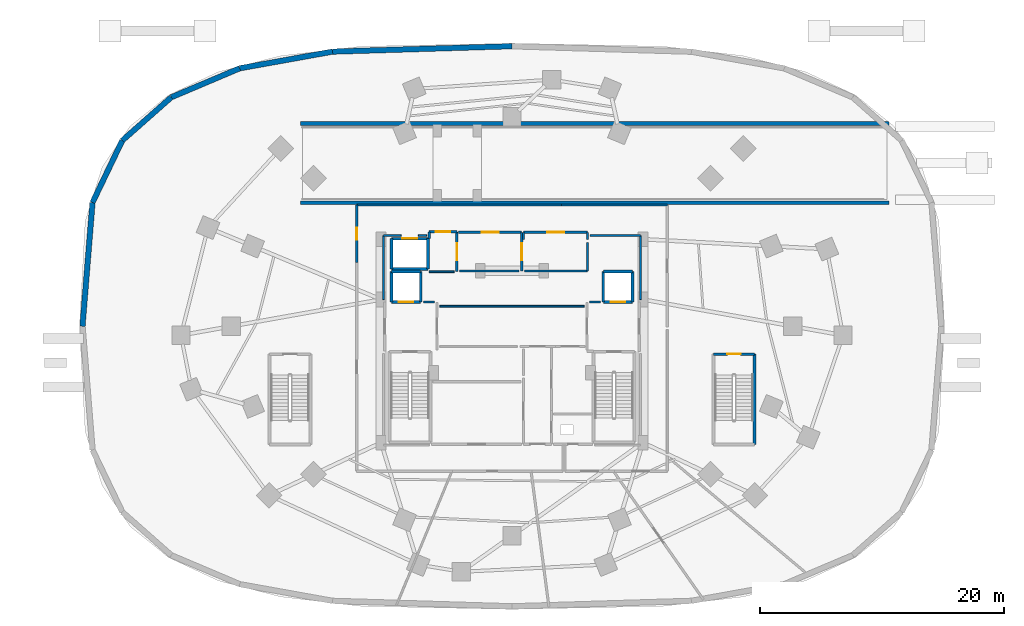
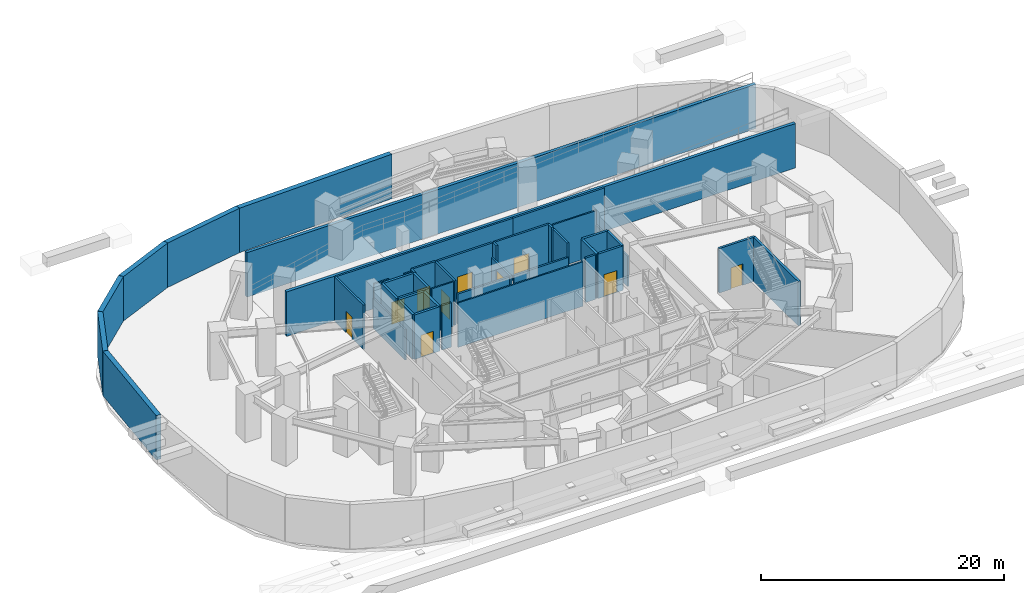
# One storey, part 5 of 8: 45 walls, 10 doors, 10 openings.
"""IFC4 building model written with IfcOpenShell, lengths in metres."""

from ifc_helpers import new_model, si_unit, direction, frame, frame_2d, origin, place, context, subcontext, project, spatial, rectangle, extrude, material, layer, layer_set, type_object, element, fill, save


model = new_model("IFC4")

# Units and contexts
model_context = context("Model", 3, precision=1e-05, world=origin(), true_north=direction((0.0, 1.0)))
body_context = subcontext(model_context, "Body", "Model", "MODEL_VIEW")
ifc_project = project(units=[si_unit("LENGTHUNIT", "METRE"), si_unit("AREAUNIT", "SQUARE_METRE"), si_unit("VOLUMEUNIT", "CUBIC_METRE"), si_unit("PLANEANGLEUNIT", "RADIAN"), si_unit("MASSUNIT", "GRAM", prefix="KILO")], contexts=[model_context])

# Site, building, storey
site_placement = place(None, origin())
site = spatial("IfcSite", under=ifc_project, at=site_placement, CompositionType="ELEMENT")
building_placement = place(site_placement, origin())
building = spatial("IfcBuilding", under=site, at=building_placement, Name="Vorneva Point Tower", CompositionType="ELEMENT")
storey_placement = place(building_placement, frame((0.0, 0.0, -4.800048828125)))
storey = spatial("IfcBuildingStorey", under=building, at=storey_placement, Name="B01", CompositionType="ELEMENT", Elevation=-4.800048828125)

# Wall, opening, door
ifc_material_1 = material(Name="Concrete B60 (C50/60)", Category="concrete")
ifc_layer_1 = layer(ifc_material_1, 0.5)
ifc_layer_set_1 = layer_set([ifc_layer_1], Name="Concrete B60 (C50/60)")
wall_type_1 = type_object("IfcWallType", Name="WL-CORE-500", PredefinedType="SHEAR", material=ifc_layer_set_1)
wall_1_placement = place(storey_placement, frame((28.10009765625, 28.0, 0.0), z_axis=(0.0, 0.0, 1.0), x_axis=(1.0, 0.0, 0.0)))
wall_1 = element("IfcWall", 1, at=wall_1_placement, inside=storey, type_object=wall_type_1, Name="B01 Lift FFL1 Shaft Wall -Y", PredefinedType="SHEAR", context=body_context, shape_type="SweptSolid", body=[
    extrude(rectangle(XDim=2.39990234375, YDim=0.219970703125, at=frame_2d((1.199951171875, 0.0))), origin(), (0.0, 0.0, 1.0), 4.4599609375),
])
opening_1_placement = place(wall_1_placement, frame((0.60009765625, 0.0, 0.0)))
opening_1 = element("IfcOpeningElement", 2, at=opening_1_placement, cuts=wall_1, Name="Opening LD-02", PredefinedType="OPENING", context=body_context, shape_type="SweptSolid", body=[
    extrude(rectangle(XDim=1.199951171875, YDim=2.199951171875, at=frame_2d((0.60009765625, 1.10009765625))), frame((0.0, 0.125, 0.0), z_axis=(0.0, -1.0, 0.0), x_axis=(1.0, 0.0, 0.0)), (0.0, 0.0, 1.0), 0.249755859375),
])
ifc_material_2 = material(Name="Brushed stainless steel S304", Category="steel")
door_type_1 = type_object("IfcDoorType", Name="LD-FIRE-1200", OperationType="SLIDING_TO_LEFT", PredefinedType="DOOR", material=ifc_material_2)
door_1_placement = place(opening_1_placement, origin())
door_1 = element("IfcDoor", 3, at=door_1_placement, inside=storey, type_object=door_type_1, Name="B01 Lift FFL1 Sliding Landing Door", OperationType="SLIDING_TO_LEFT", OverallHeight=2.199951171875, OverallWidth=1.199951171875, PredefinedType="DOOR", context=body_context, shape_type="SweptSolid", body=[
    extrude(rectangle(XDim=1.199951171875, YDim=2.199951171875, at=frame_2d((0.60009765625, 1.10009765625))), frame((0.0, 0.02490234375, 0.0), z_axis=(0.0, -1.0, 0.0), x_axis=(1.0, 0.0, 0.0)), (0.0, 0.0, 1.0), 0.050048828125),
])
fill(opening_1, door_1)

# Walls
wall_2_placement = place(storey_placement, frame((30.5, 28.0, 0.0), z_axis=(0.0, 0.0, 1.0), x_axis=(0.0, 1.0, 0.0)))
element("IfcWall", 4, at=wall_2_placement, inside=storey, type_object=wall_type_1, Name="B01 Lift FFL1 Shaft Wall +X", PredefinedType="SHEAR", context=body_context, shape_type="SweptSolid", body=[
    extrude(rectangle(XDim=2.5, YDim=0.219970703125, at=frame_2d((1.25, 0.0))), origin(), (0.0, 0.0, 1.0), 4.4599609375),
])
wall_3_placement = place(storey_placement, frame((30.5, 30.5, 0.0), z_axis=(0.0, 0.0, 1.0), x_axis=(-1.0, 0.0, 0.0)))
element("IfcWall", 5, at=wall_3_placement, inside=storey, type_object=wall_type_1, Name="B01 Lift FFL1 Shaft Wall +Y", PredefinedType="SHEAR", context=body_context, shape_type="SweptSolid", body=[
    extrude(rectangle(XDim=2.39990234375, YDim=0.219970703125, at=frame_2d((1.199951171875, 0.0))), origin(), (0.0, 0.0, 1.0), 4.4599609375),
])
wall_4_placement = place(storey_placement, frame((28.10009765625, 30.5, 0.0), z_axis=(0.0, 0.0, 1.0), x_axis=(0.0, -1.0, 0.0)))
element("IfcWall", 6, at=wall_4_placement, inside=storey, type_object=wall_type_1, Name="B01 Lift FFL1 Shaft Wall -X", PredefinedType="SHEAR", context=body_context, shape_type="SweptSolid", body=[
    extrude(rectangle(XDim=2.5, YDim=0.219970703125, at=frame_2d((1.25, 0.0))), origin(), (0.0, 0.0, 1.0), 4.4599609375),
])

# Wall, opening, door
wall_5_placement = place(storey_placement, frame((45.5, 28.0, 0.0), z_axis=(0.0, 0.0, 1.0), x_axis=(1.0, 0.0, 0.0)))
wall_5 = element("IfcWall", 7, at=wall_5_placement, inside=storey, type_object=wall_type_1, Name="B01 Lift FFL2 Shaft Wall -Y", PredefinedType="SHEAR", context=body_context, shape_type="SweptSolid", body=[
    extrude(rectangle(XDim=2.39990234375, YDim=0.219970703125, at=frame_2d((1.199951171875, 0.0))), origin(), (0.0, 0.0, 1.0), 4.4599609375),
])
opening_2_placement = place(wall_5_placement, frame((0.60009765625, 0.0, 0.0)))
opening_2 = element("IfcOpeningElement", 8, at=opening_2_placement, cuts=wall_5, Name="Opening LD-02", PredefinedType="OPENING", context=body_context, shape_type="SweptSolid", body=[
    extrude(rectangle(XDim=1.199951171875, YDim=2.199951171875, at=frame_2d((0.60009765625, 1.10009765625))), frame((0.0, 0.125, 0.0), z_axis=(0.0, -1.0, 0.0), x_axis=(1.0, 0.0, 0.0)), (0.0, 0.0, 1.0), 0.249755859375),
])
door_2_placement = place(opening_2_placement, origin())
door_2 = element("IfcDoor", 9, at=door_2_placement, inside=storey, type_object=door_type_1, Name="B01 Lift FFL2 Sliding Landing Door", OperationType="SLIDING_TO_LEFT", OverallHeight=2.199951171875, OverallWidth=1.199951171875, PredefinedType="DOOR", context=body_context, shape_type="SweptSolid", body=[
    extrude(rectangle(XDim=1.199951171875, YDim=2.199951171875, at=frame_2d((0.60009765625, 1.10009765625))), frame((0.0, 0.02490234375, 0.0), z_axis=(0.0, -1.0, 0.0), x_axis=(1.0, 0.0, 0.0)), (0.0, 0.0, 1.0), 0.050048828125),
])
fill(opening_2, door_2)

# Walls
wall_6_placement = place(storey_placement, frame((47.89990234375, 28.0, 0.0), z_axis=(0.0, 0.0, 1.0), x_axis=(0.0, 1.0, 0.0)))
element("IfcWall", 10, at=wall_6_placement, inside=storey, type_object=wall_type_1, Name="B01 Lift FFL2 Shaft Wall +X", PredefinedType="SHEAR", context=body_context, shape_type="SweptSolid", body=[
    extrude(rectangle(XDim=2.5, YDim=0.219970703125, at=frame_2d((1.25, 0.0))), origin(), (0.0, 0.0, 1.0), 4.4599609375),
])
wall_7_placement = place(storey_placement, frame((47.89990234375, 30.5, 0.0), z_axis=(0.0, 0.0, 1.0), x_axis=(-1.0, 0.0, 0.0)))
element("IfcWall", 11, at=wall_7_placement, inside=storey, type_object=wall_type_1, Name="B01 Lift FFL2 Shaft Wall +Y", PredefinedType="SHEAR", context=body_context, shape_type="SweptSolid", body=[
    extrude(rectangle(XDim=2.39990234375, YDim=0.219970703125, at=frame_2d((1.199951171875, 0.0))), origin(), (0.0, 0.0, 1.0), 4.4599609375),
])
wall_8_placement = place(storey_placement, frame((45.5, 30.5, 0.0), z_axis=(0.0, 0.0, 1.0), x_axis=(0.0, -1.0, 0.0)))
element("IfcWall", 12, at=wall_8_placement, inside=storey, type_object=wall_type_1, Name="B01 Lift FFL2 Shaft Wall -X", PredefinedType="SHEAR", context=body_context, shape_type="SweptSolid", body=[
    extrude(rectangle(XDim=2.5, YDim=0.219970703125, at=frame_2d((1.25, 0.0))), origin(), (0.0, 0.0, 1.0), 4.4599609375),
])
ifc_material_3 = material(Name="Fire-rated acoustic gypsum stud partition", Category="gypsum")
ifc_layer_2 = layer(ifc_material_3, 0.139892578125)
ifc_layer_set_2 = layer_set([ifc_layer_2], Name="Fire-rated acoustic gypsum stud partition")
wall_type_2 = type_object("IfcWallType", Name="WL-PART-140", PredefinedType="PARTITIONING", material=ifc_layer_set_2)
wall_9_placement = place(storey_placement, frame((31.199951171875, 30.47998046875, 0.0), z_axis=(0.0, 0.0, 1.0), x_axis=(1.0, 0.0, 0.0)))
element("IfcWall", 13, at=wall_9_placement, inside=storey, type_object=wall_type_2, Name="B01 Interior Closure Partition 041", PredefinedType="PARTITIONING", context=body_context, shape_type="SweptSolid", body=[
    extrude(rectangle(XDim=2.050048828125, YDim=0.139892578125, at=frame_2d((1.02490234375, 0.0))), origin(), (0.0, 0.0, 1.0), 4.4599609375),
])
wall_10_placement = place(storey_placement, frame((43.929931640625, 27.64990234375, 0.0), z_axis=(0.0, 0.0, 1.0), x_axis=(-1.0, 0.0, 0.0)))
element("IfcWall", 14, at=wall_10_placement, inside=storey, type_object=wall_type_2, Name="B01 Interior Closure Partition 042", PredefinedType="PARTITIONING", context=body_context, shape_type="SweptSolid", body=[
    extrude(rectangle(XDim=11.85986328125, YDim=0.139892578125, at=frame_2d((5.929931640625, 0.0))), origin(), (0.0, 0.0, 1.0), 4.4599609375),
])
wall_11_placement = place(storey_placement, frame((44.419921875, 33.449951171875, 0.0), z_axis=(0.0, 0.0, 1.0), x_axis=(1.0, 0.0, 0.0)))
element("IfcWall", 15, at=wall_11_placement, inside=storey, type_object=wall_type_2, Name="B01 Interior Closure Partition 049", PredefinedType="PARTITIONING", context=body_context, shape_type="SweptSolid", body=[
    extrude(rectangle(XDim=4.130126953125, YDim=0.139892578125, at=frame_2d((2.06494140625, 0.0))), origin(), (0.0, 0.0, 1.0), 4.4599609375),
])
for number, where, z_axis, x_axis, name in (
    (16, (48.550048828125, 33.449951171875, 0.0), (0.0, 0.0, 1.0), (0.0, -1.0, 0.0), "B01 Interior Closure Partition 050"),
    (17, (27.449951171875, 28.196044921875, 0.0), (0.0, 0.0, 1.0), (0.0, 1.0, 0.0), "B01 Interior Closure Partition 056"),
):
    element("IfcWall", number, at=place(storey_placement, frame(where, z_axis=z_axis, x_axis=x_axis)), inside=storey, type_object=wall_type_2, Name=name, PredefinedType="PARTITIONING", context=body_context, shape_type="SweptSolid", body=[
        extrude(rectangle(XDim=5.25390625, YDim=0.139892578125, at=frame_2d((2.626953125, 0.0))), origin(), (0.0, 0.0, 1.0), 3.0400390625),
    ])
wall_12_placement = place(storey_placement, frame((27.449951171875, 33.449951171875, 0.0), z_axis=(0.0, 0.0, 1.0), x_axis=(1.0, 0.0, 0.0)))
element("IfcWall", 18, at=wall_12_placement, inside=storey, type_object=wall_type_2, Name="B01 Interior Closure Partition 057", PredefinedType="PARTITIONING", context=body_context, shape_type="SweptSolid", body=[
    extrude(rectangle(XDim=1.444091796875, YDim=0.139892578125, at=frame_2d((0.72216796875, 0.0))), origin(), (0.0, 0.0, 1.0), 4.4599609375),
])
wall_13_placement = place(storey_placement, frame((30.305908203125, 33.449951171875, 0.0), z_axis=(0.0, 0.0, 1.0), x_axis=(1.0, 0.0, 0.0)))
element("IfcWall", 19, at=wall_13_placement, inside=storey, type_object=wall_type_2, Name="B01 Interior Closure Partition 058", PredefinedType="PARTITIONING", context=body_context, shape_type="SweptSolid", body=[
    extrude(rectangle(XDim=0.674072265625, YDim=0.139892578125, at=frame_2d((0.3369140625, 0.0))), origin(), (0.0, 0.0, 1.0), 4.4599609375),
])

# Wall, opening, door
ifc_material_4 = material(Name="Autoclaved aerated concrete blockwork", Category="masonry")
ifc_layer_3 = layer(ifc_material_4, 0.179931640625)
ifc_layer_set_3 = layer_set([ifc_layer_3], Name="Autoclaved aerated concrete blockwork")
wall_type_3 = type_object("IfcWallType", Name="WL-PART-180", PredefinedType="PARTITIONING", material=ifc_layer_set_3)
wall_14_placement = place(storey_placement, frame((33.469970703125, 30.47998046875, 0.0), z_axis=(0.0, 0.0, 1.0), x_axis=(0.0, 1.0, 0.0)))
wall_14 = element("IfcWall", 20, at=wall_14_placement, inside=storey, type_object=wall_type_3, Name="B01 Interior Partition 006", PredefinedType="PARTITIONING", context=body_context, shape_type="SweptSolid", body=[
    extrude(rectangle(XDim=3.280029296875, YDim=0.179931640625, at=frame_2d((1.64013671875, 0.0))), origin(), (0.0, 0.0, 1.0), 4.4599609375),
])
opening_3_placement = place(wall_14_placement, frame((0.93994140625, 0.0, 0.0)))
opening_3 = element("IfcOpeningElement", 21, at=opening_3_placement, cuts=wall_14, Name="Opening FD-03", PredefinedType="OPENING", context=body_context, shape_type="SweptSolid", body=[
    extrude(rectangle(XDim=1.39990234375, YDim=2.199951171875, at=frame_2d((0.699951171875, 1.10009765625))), frame((0.0, 0.10498046875, 0.0), z_axis=(0.0, -1.0, 0.0), x_axis=(1.0, 0.0, 0.0)), (0.0, 0.0, 1.0), 0.209716796875),
])
ifc_material_5 = material(Name="Fire-rated powder-coated steel", Category="steel")
door_type_2 = type_object("IfcDoorType", Name="DR-PLT-1400", OperationType="DOUBLE_SWING_LEFT", PredefinedType="DOOR", material=ifc_material_5)
door_3_placement = place(opening_3_placement, origin())
door_3 = element("IfcDoor", 22, at=door_3_placement, inside=storey, type_object=door_type_2, Name="B01 Door Service Lift Lobby / Core Smoke Extract Plant B01", OperationType="DOUBLE_SWING_LEFT", OverallHeight=2.199951171875, OverallWidth=1.39990234375, PredefinedType="DOOR", context=body_context, shape_type="SweptSolid", body=[
    extrude(rectangle(XDim=1.39990234375, YDim=2.199951171875, at=frame_2d((0.699951171875, 1.10009765625))), frame((0.0, 0.02490234375, 0.0), z_axis=(0.0, -1.0, 0.0), x_axis=(1.0, 0.0, 0.0)), (0.0, 0.0, 1.0), 0.050048828125),
])
fill(opening_3, door_3)

wall_15_placement = place(storey_placement, frame((33.469970703125, 33.760009765625, 0.0), z_axis=(0.0, 0.0, 1.0), x_axis=(-1.0, 0.0, 0.0)))
wall_15 = element("IfcWall", 23, at=wall_15_placement, inside=storey, type_object=wall_type_3, Name="B01 Interior Partition 007", PredefinedType="PARTITIONING", context=body_context, shape_type="SweptSolid", body=[
    extrude(rectangle(XDim=2.27001953125, YDim=0.179931640625, at=frame_2d((1.135009765625, 0.0))), origin(), (0.0, 0.0, 1.0), 4.4599609375),
])
opening_4_placement = place(wall_15_placement, frame((0.534912109375, 0.0, 0.0)))
opening_4 = element("IfcOpeningElement", 24, at=opening_4_placement, cuts=wall_15, Name="Opening FD-02", PredefinedType="OPENING", context=body_context, shape_type="SweptSolid", body=[
    extrude(rectangle(XDim=1.199951171875, YDim=2.14990234375, at=frame_2d((0.60009765625, 1.074951171875))), frame((0.0, 0.10498046875, 0.0), z_axis=(0.0, -1.0, 0.0), x_axis=(1.0, 0.0, 0.0)), (0.0, 0.0, 1.0), 0.209716796875),
])
door_type_3 = type_object("IfcDoorType", Name="DR-FFL-1200", OperationType="NOTDEFINED", PredefinedType="DOOR", material=ifc_material_5)
door_4_placement = place(opening_4_placement, origin())
door_4 = element("IfcDoor", 25, at=door_4_placement, inside=storey, type_object=door_type_3, Name="B01 Door Service Lift Lobby / B01 Circulation Corridor", OperationType="SINGLE_SWING_LEFT", OverallHeight=2.14990234375, OverallWidth=1.199951171875, PredefinedType="DOOR", context=body_context, shape_type="SweptSolid", body=[
    extrude(rectangle(XDim=1.199951171875, YDim=2.14990234375, at=frame_2d((0.60009765625, 1.074951171875))), frame((0.0, 0.02490234375, 0.0), z_axis=(0.0, -1.0, 0.0), x_axis=(1.0, 0.0, 0.0)), (0.0, 0.0, 1.0), 0.050048828125),
])
fill(opening_4, door_4)

# Wall
wall_16_placement = place(storey_placement, frame((31.199951171875, 33.760009765625, 0.0), z_axis=(0.0, 0.0, 1.0), x_axis=(0.0, -1.0, 0.0)))
element("IfcWall", 26, at=wall_16_placement, inside=storey, type_object=wall_type_3, Name="B01 Interior Partition 008", PredefinedType="PARTITIONING", context=body_context, shape_type="SweptSolid", body=[
    extrude(rectangle(XDim=0.56005859375, YDim=0.179931640625, at=frame_2d((0.280029296875, 0.0))), origin(), (0.0, 0.0, 1.0), 4.4599609375),
])

# Wall, opening, door
wall_17_placement = place(storey_placement, frame((38.800048828125, 30.550048828125, 0.0), z_axis=(0.0, 0.0, 1.0), x_axis=(0.0, 1.0, 0.0)))
wall_17 = element("IfcWall", 27, at=wall_17_placement, inside=storey, type_object=wall_type_3, Name="B01 Interior Partition 015", PredefinedType="PARTITIONING", context=body_context, shape_type="SweptSolid", body=[
    extrude(rectangle(XDim=3.169921875, YDim=0.179931640625, at=frame_2d((1.5849609375, 0.0))), origin(), (0.0, 0.0, 1.0), 3.0400390625),
])
opening_5_placement = place(wall_17_placement, frame((0.885009765625, 0.0, 0.0)))
opening_5 = element("IfcOpeningElement", 28, at=opening_5_placement, cuts=wall_17, Name="Opening FD-03", PredefinedType="OPENING", context=body_context, shape_type="SweptSolid", body=[
    extrude(rectangle(XDim=1.39990234375, YDim=2.199951171875, at=frame_2d((0.699951171875, 1.10009765625))), frame((0.0, 0.10498046875, 0.0), z_axis=(0.0, -1.0, 0.0), x_axis=(1.0, 0.0, 0.0)), (0.0, 0.0, 1.0), 0.209716796875),
])
door_5_placement = place(opening_5_placement, origin())
door_5 = element("IfcDoor", 29, at=door_5_placement, inside=storey, type_object=door_type_2, Name="B01 Door Core Smoke Extract Plant B01 / Core Electrical Switchgear Room B01", OperationType="DOUBLE_SWING_LEFT", OverallHeight=2.199951171875, OverallWidth=1.39990234375, PredefinedType="DOOR", context=body_context, shape_type="SweptSolid", body=[
    extrude(rectangle(XDim=1.39990234375, YDim=2.199951171875, at=frame_2d((0.699951171875, 1.10009765625))), frame((0.0, 0.02490234375, 0.0), z_axis=(0.0, -1.0, 0.0), x_axis=(1.0, 0.0, 0.0)), (0.0, 0.0, 1.0), 0.050048828125),
])
fill(opening_5, door_5)

wall_18_placement = place(storey_placement, frame((38.800048828125, 33.719970703125, 0.0), z_axis=(0.0, 0.0, 1.0), x_axis=(-1.0, 0.0, 0.0)))
wall_18 = element("IfcWall", 30, at=wall_18_placement, inside=storey, type_object=wall_type_3, Name="B01 Interior Partition 016", PredefinedType="PARTITIONING", context=body_context, shape_type="SweptSolid", body=[
    extrude(rectangle(XDim=5.199951171875, YDim=0.179931640625, at=frame_2d((2.60009765625, 0.0))), origin(), (0.0, 0.0, 1.0), 4.4599609375),
])
opening_6_placement = place(wall_18_placement, frame((1.89990234375, 0.0, 0.0)))
opening_6 = element("IfcOpeningElement", 31, at=opening_6_placement, cuts=wall_18, Name="Opening FD-03", PredefinedType="OPENING", context=body_context, shape_type="SweptSolid", body=[
    extrude(rectangle(XDim=1.39990234375, YDim=2.199951171875, at=frame_2d((0.699951171875, 1.10009765625))), frame((0.0, 0.10498046875, 0.0), z_axis=(0.0, -1.0, 0.0), x_axis=(1.0, 0.0, 0.0)), (0.0, 0.0, 1.0), 0.209716796875),
])
door_6_placement = place(opening_6_placement, origin())
door_6 = element("IfcDoor", 32, at=door_6_placement, inside=storey, type_object=door_type_2, Name="B01 Door Core Smoke Extract Plant B01 / B01 Circulation Corridor", OperationType="DOUBLE_SWING_LEFT", OverallHeight=2.199951171875, OverallWidth=1.39990234375, PredefinedType="DOOR", context=body_context, shape_type="SweptSolid", body=[
    extrude(rectangle(XDim=1.39990234375, YDim=2.199951171875, at=frame_2d((0.699951171875, 1.10009765625))), frame((0.0, 0.02490234375, 0.0), z_axis=(0.0, -1.0, 0.0), x_axis=(1.0, 0.0, 0.0)), (0.0, 0.0, 1.0), 0.050048828125),
])
fill(opening_6, door_6)

wall_19_placement = place(storey_placement, frame((44.199951171875, 33.719970703125, 0.0), z_axis=(0.0, 0.0, 1.0), x_axis=(-1.0, 0.0, 0.0)))
wall_19 = element("IfcWall", 33, at=wall_19_placement, inside=storey, type_object=wall_type_3, Name="B01 Interior Partition 017", PredefinedType="PARTITIONING", context=body_context, shape_type="SweptSolid", body=[
    extrude(rectangle(XDim=5.25, YDim=0.179931640625, at=frame_2d((2.625, 0.0))), origin(), (0.0, 0.0, 1.0), 4.4599609375),
])
opening_7_placement = place(wall_19_placement, frame((1.925048828125, 0.0, 0.0)))
opening_7 = element("IfcOpeningElement", 34, at=opening_7_placement, cuts=wall_19, Name="Opening FD-03", PredefinedType="OPENING", context=body_context, shape_type="SweptSolid", body=[
    extrude(rectangle(XDim=1.39990234375, YDim=2.199951171875, at=frame_2d((0.699951171875, 1.10009765625))), frame((0.0, 0.10498046875, 0.0), z_axis=(0.0, -1.0, 0.0), x_axis=(1.0, 0.0, 0.0)), (0.0, 0.0, 1.0), 0.209716796875),
])
door_7_placement = place(opening_7_placement, origin())
door_7 = element("IfcDoor", 35, at=door_7_placement, inside=storey, type_object=door_type_2, Name="B01 Door Core Electrical Switchgear Room B01 / B01 Circulation Corridor", OperationType="DOUBLE_SWING_LEFT", OverallHeight=2.199951171875, OverallWidth=1.39990234375, PredefinedType="DOOR", context=body_context, shape_type="SweptSolid", body=[
    extrude(rectangle(XDim=1.39990234375, YDim=2.199951171875, at=frame_2d((0.699951171875, 1.10009765625))), frame((0.0, 0.02490234375, 0.0), z_axis=(0.0, -1.0, 0.0), x_axis=(1.0, 0.0, 0.0)), (0.0, 0.0, 1.0), 0.050048828125),
])
fill(opening_7, door_7)

# Walls
for number, where, z_axis, x_axis, name in (
    (36, (38.949951171875, 33.719970703125, 0.0), (0.0, 0.0, 1.0), (0.0, -1.0, 0.0), "B01 Interior Partition 018"),
    (37, (44.199951171875, 33.110107421875, 0.0), (0.0, 0.0, 1.0), (0.0, 1.0, 0.0), "B01 Interior Partition 019"),
):
    element("IfcWall", number, at=place(storey_placement, frame(where, z_axis=z_axis, x_axis=x_axis)), inside=storey, type_object=wall_type_3, Name=name, PredefinedType="PARTITIONING", context=body_context, shape_type="SweptSolid", body=[
        extrude(rectangle(XDim=0.60986328125, YDim=0.179931640625, at=frame_2d((0.304931640625, 0.0))), origin(), (0.0, 0.0, 1.0), 4.4599609375),
    ])
wall_20_placement = place(storey_placement, frame((50.75, 35.949951171875, 0.0), z_axis=(0.0, 0.0, 1.0), x_axis=(-1.0, 0.0, 0.0)))
element("IfcWall", 38, at=wall_20_placement, inside=storey, type_object=wall_type_3, Name="B01 Interior Partition 024", PredefinedType="PARTITIONING", context=body_context, shape_type="SweptSolid", body=[
    extrude(rectangle(XDim=8.68896484375, YDim=0.179931640625, at=frame_2d((4.344482421875, 0.0))), origin(), (0.0, 0.0, 1.0), 4.4599609375),
])
wall_21_placement = place(storey_placement, frame((42.06103515625, 35.949951171875, 0.0), z_axis=(0.0, 0.0, 1.0), x_axis=(-1.0, 0.0, 0.0)))
element("IfcWall", 39, at=wall_21_placement, inside=storey, type_object=wall_type_3, Name="B01 Interior Partition 025", PredefinedType="PARTITIONING", context=body_context, shape_type="SweptSolid", body=[
    extrude(rectangle(XDim=16.81103515625, YDim=0.179931640625, at=frame_2d((8.405517578125, 0.0))), origin(), (0.0, 0.0, 1.0), 4.4599609375),
])

# Wall, opening, door
wall_22_placement = place(storey_placement, frame((25.25, 35.949951171875, 0.0), z_axis=(0.0, 0.0, 1.0), x_axis=(0.0, -1.0, 0.0)))
wall_22 = element("IfcWall", 40, at=wall_22_placement, inside=storey, type_object=wall_type_3, Name="B01 Interior Partition 026", PredefinedType="PARTITIONING", context=body_context, shape_type="SweptSolid", body=[
    extrude(rectangle(XDim=4.72900390625, YDim=0.179931640625, at=frame_2d((2.364501953125, 0.0))), origin(), (0.0, 0.0, 1.0), 4.4599609375),
])
opening_8_placement = place(wall_22_placement, frame((1.864501953125, 0.0, 0.0)))
opening_8 = element("IfcOpeningElement", 41, at=opening_8_placement, cuts=wall_22, Name="Opening UD-01", PredefinedType="OPENING", context=body_context, shape_type="SweptSolid", body=[
    extrude(rectangle(XDim=1.0, YDim=2.14990234375, at=frame_2d((0.5, 1.074951171875))), frame((0.0, 0.10498046875, 0.0), z_axis=(0.0, -1.0, 0.0), x_axis=(1.0, 0.0, 0.0)), (0.0, 0.0, 1.0), 0.209716796875),
])
ifc_material_6 = material(Name="Engineered oak fire-rated door leaf", Category="wood")
door_type_4 = type_object("IfcDoorType", Name="DR-UNIT-1000", OperationType="NOTDEFINED", PredefinedType="DOOR", material=ifc_material_6)
door_8_placement = place(opening_8_placement, origin())
door_8 = element("IfcDoor", 42, at=door_8_placement, inside=storey, type_object=door_type_4, Name="B01 Door B01 Circulation Corridor / Car Park Drive Aisle North", OperationType="SINGLE_SWING_LEFT", OverallHeight=2.14990234375, OverallWidth=1.0, PredefinedType="DOOR", context=body_context, shape_type="SweptSolid", body=[
    extrude(rectangle(XDim=1.0, YDim=2.14990234375, at=frame_2d((0.5, 1.074951171875))), frame((0.0, 0.02490234375, 0.0), z_axis=(0.0, -1.0, 0.0), x_axis=(1.0, 0.0, 0.0)), (0.0, 0.0, 1.0), 0.050048828125),
])
fill(opening_8, door_8)

# Walls
for number, where, z_axis, x_axis, name in (
    (43, (31.635009765625, 28.0, 0.0), (0.0, 0.0, 1.0), (-1.0, 0.0, 0.0), "B01 Interior Closure Partition 039"),
    (44, (45.280029296875, 28.0, 0.0), (0.0, 0.0, 1.0), (-1.0, 0.0, 0.0), "B01 Interior Closure Partition 040"),
):
    element("IfcWall", number, at=place(storey_placement, frame(where, z_axis=z_axis, x_axis=x_axis)), inside=storey, type_object=wall_type_3, Name=name, PredefinedType="PARTITIONING", context=body_context, shape_type="SweptSolid", body=[
        extrude(rectangle(XDim=0.9150390625, YDim=0.179931640625, at=frame_2d((0.45751953125, 0.0))), origin(), (0.0, 0.0, 1.0), 4.4599609375),
    ])
wall_23_placement = place(storey_placement, frame((33.694091796875, 30.550048828125, 0.0), z_axis=(0.0, 0.0, 1.0), x_axis=(1.0, 0.0, 0.0)))
element("IfcWall", 45, at=wall_23_placement, inside=storey, type_object=wall_type_3, Name="B01 Interior Closure Partition 045", PredefinedType="PARTITIONING", context=body_context, shape_type="SweptSolid", body=[
    extrude(rectangle(XDim=4.885986328125, YDim=0.179931640625, at=frame_2d((2.44287109375, 0.0))), origin(), (0.0, 0.0, 1.0), 3.0400390625),
])
wall_24_placement = place(storey_placement, frame((39.030029296875, 30.550048828125, 0.0), z_axis=(0.0, 0.0, 1.0), x_axis=(1.0, 0.0, 0.0)))
element("IfcWall", 46, at=wall_24_placement, inside=storey, type_object=wall_type_3, Name="B01 Interior Closure Partition 046", PredefinedType="PARTITIONING", context=body_context, shape_type="SweptSolid", body=[
    extrude(rectangle(XDim=5.169921875, YDim=0.179931640625, at=frame_2d((2.5849609375, 0.0))), origin(), (0.0, 0.0, 1.0), 3.0400390625),
])
wall_25_placement = place(storey_placement, frame((44.199951171875, 30.550048828125, 0.0), z_axis=(0.0, 0.0, 1.0), x_axis=(0.0, 1.0, 0.0)))
element("IfcWall", 47, at=wall_25_placement, inside=storey, type_object=wall_type_3, Name="B01 Interior Closure Partition 047", PredefinedType="PARTITIONING", context=body_context, shape_type="SweptSolid", body=[
    extrude(rectangle(XDim=2.33984375, YDim=0.179931640625, at=frame_2d((1.169921875, 0.0))), origin(), (0.0, 0.0, 1.0), 4.4599609375),
])
ifc_layer_4 = layer(ifc_material_1, 0.449951171875)
ifc_layer_set_4 = layer_set([ifc_layer_4], Name="Concrete B60 (C50/60)")
wall_type_4 = type_object("IfcWallType", Name="WL-RET-450", PredefinedType="SOLIDWALL", material=ifc_layer_set_4)
wall_26_placement = place(storey_placement, frame((38.0, 48.999755859375, 0.0), z_axis=(0.0, 0.0, 1.0), x_axis=(-0.999540251976, -0.030319707786, 0.0)))
element("IfcWall", 48, at=wall_26_placement, inside=storey, type_object=wall_type_4, Name="B01 Perimeter Retaining Wall 07", PredefinedType="SOLIDWALL", context=body_context, shape_type="SweptSolid", body=[
    extrude(rectangle(XDim=14.74365234375, YDim=0.449951171875, at=frame_2d((7.371826171875, 0.0))), origin(), (0.0, 0.0, 1.0), 4.4599609375),
])
wall_27_placement = place(storey_placement, frame((23.26318359375, 48.552734375, 0.0), z_axis=(0.0, 0.0, 1.0), x_axis=(-0.984238318617, -0.176847200051, 0.0)))
element("IfcWall", 49, at=wall_27_placement, inside=storey, type_object=wall_type_4, Name="B01 Perimeter Retaining Wall 08", PredefinedType="SOLIDWALL", context=body_context, shape_type="SweptSolid", body=[
    extrude(rectangle(XDim=7.748779296875, YDim=0.449951171875, at=frame_2d((3.87451171875, 0.0))), origin(), (0.0, 0.0, 1.0), 4.4599609375),
])
wall_28_placement = place(storey_placement, frame((15.636474609375, 47.182373046875, 0.0), z_axis=(0.0, 0.0, 1.0), x_axis=(-0.92081090532, -0.390009328919, 0.0)))
element("IfcWall", 50, at=wall_28_placement, inside=storey, type_object=wall_type_4, Name="B01 Perimeter Retaining Wall 09", PredefinedType="SOLIDWALL", context=body_context, shape_type="SweptSolid", body=[
    extrude(rectangle(XDim=6.10205078125, YDim=0.449951171875, at=frame_2d((3.051025390625, 0.0))), origin(), (0.0, 0.0, 1.0), 4.4599609375),
])
wall_29_placement = place(storey_placement, frame((10.017578125, 44.802490234375, 0.0), z_axis=(0.0, 0.0, 1.0), x_axis=(-0.749561336725, -0.661934892937, 0.0)))
element("IfcWall", 51, at=wall_29_placement, inside=storey, type_object=wall_type_4, Name="B01 Perimeter Retaining Wall 10", PredefinedType="SOLIDWALL", context=body_context, shape_type="SweptSolid", body=[
    extrude(rectangle(XDim=5.360595703125, YDim=0.449951171875, at=frame_2d((2.68017578125, 0.0))), origin(), (0.0, 0.0, 1.0), 4.4599609375),
])
wall_30_placement = place(storey_placement, frame((5.99951171875, 41.254150390625, 0.0), z_axis=(0.0, 0.0, 1.0), x_axis=(-0.433120243411, -0.901336149695, 0.0)))
element("IfcWall", 52, at=wall_30_placement, inside=storey, type_object=wall_type_4, Name="B01 Perimeter Retaining Wall 11", PredefinedType="SOLIDWALL", context=body_context, shape_type="SweptSolid", body=[
    extrude(rectangle(XDim=5.648681640625, YDim=0.449951171875, at=frame_2d((2.82421875, 0.0))), origin(), (0.0, 0.0, 1.0), 4.4599609375),
])
wall_31_placement = place(storey_placement, frame((3.552978515625, 36.162841796875, 0.0), z_axis=(0.0, 0.0, 1.0), x_axis=(-0.080835799126, -0.996727431939, 0.0)))
element("IfcWall", 53, at=wall_31_placement, inside=storey, type_object=wall_type_4, Name="B01 Perimeter Retaining Wall 12", PredefinedType="SOLIDWALL", context=body_context, shape_type="SweptSolid", body=[
    extrude(rectangle(XDim=10.1962890625, YDim=0.449951171875, at=frame_2d((5.09814453125, 0.0))), origin(), (0.0, 0.0, 1.0), 4.4599609375),
])
ifc_layer_5 = layer(ifc_material_1, 0.300048828125)
ifc_layer_set_5 = layer_set([ifc_layer_5], Name="Concrete B60 (C50/60)")
wall_type_5 = type_object("IfcWallType", Name="WL-RMP-300", PredefinedType="SOLIDWALL", material=ifc_layer_set_5)
for number, where, z_axis, x_axis, name in (
    (54, (20.64990234375, 36.14990234375, 0.0), (0.0, 0.0, 1.0), (1.0, 0.0, 0.0), "B01 Car Park Vehicle Ramp Cheek Wall S"),
    (55, (20.64990234375, 42.64990234375, 0.0), (0.0, 0.0, 1.0), (1.0, 0.0, 0.0), "B01 Car Park Vehicle Ramp Cheek Wall N"),
):
    element("IfcWall", number, at=place(storey_placement, frame(where, z_axis=z_axis, x_axis=x_axis)), inside=storey, type_object=wall_type_5, Name=name, PredefinedType="SOLIDWALL", context=body_context, shape_type="SweptSolid", body=[
        extrude(rectangle(XDim=48.300048828125, YDim=0.300048828125, at=frame_2d((24.14990234375, 0.0))), origin(), (0.0, 0.0, 1.0), 4.4599609375),
    ])

# Wall, opening, door
ifc_material_7 = material(Name="Concrete B50 (C40/50)", Category="concrete")
ifc_layer_6 = layer(ifc_material_7, 0.219970703125)
ifc_layer_set_6 = layer_set([ifc_layer_6], Name="Concrete B50 (C40/50)")
wall_type_6 = type_object("IfcWallType", Name="WL-SHFT-220", PredefinedType="SOLIDWALL", material=ifc_layer_set_6)
wall_32_placement = place(storey_placement, frame((54.5400390625, 23.7099609375, 0.0), z_axis=(0.0, 0.0, 1.0), x_axis=(1.0, 0.0, 0.0)))
wall_32 = element("IfcWall", 56, at=wall_32_placement, inside=storey, type_object=wall_type_6, Name="B01 Exit Stair ST4 Shaft Wall near", PredefinedType="SOLIDWALL", context=body_context, shape_type="SweptSolid", body=[
    extrude(rectangle(XDim=3.369873046875, YDim=0.219970703125, at=frame_2d((1.68505859375, 0.0))), origin(), (0.0, 0.0, 1.0), 4.4599609375),
])
opening_9_placement = place(wall_32_placement, frame((1.135009765625, 0.0, 0.0)))
opening_9 = element("IfcOpeningElement", 57, at=opening_9_placement, cuts=wall_32, Name="Opening FD-01", PredefinedType="OPENING", context=body_context, shape_type="SweptSolid", body=[
    extrude(rectangle(XDim=1.10009765625, YDim=2.14990234375, at=frame_2d((0.550048828125, 1.074951171875))), frame((0.0, 0.125, 0.0), z_axis=(0.0, -1.0, 0.0), x_axis=(1.0, 0.0, 0.0)), (0.0, 0.0, 1.0), 0.249755859375),
])
door_type_5 = type_object("IfcDoorType", Name="DR-STAIR-1100", OperationType="NOTDEFINED", PredefinedType="DOOR", material=ifc_material_5)
door_9_placement = place(opening_9_placement, origin())
door_9 = element("IfcDoor", 58, at=door_9_placement, inside=storey, type_object=door_type_5, Name="B01 Exit Stair ST4 Fire Door", OperationType="SINGLE_SWING_RIGHT", OverallHeight=2.14990234375, OverallWidth=1.10009765625, PredefinedType="DOOR", context=body_context, shape_type="SweptSolid", body=[
    extrude(rectangle(XDim=1.10009765625, YDim=2.14990234375, at=frame_2d((0.550048828125, 1.074951171875))), frame((0.0, 0.02490234375, 0.0), z_axis=(0.0, -1.0, 0.0), x_axis=(1.0, 0.0, 0.0)), (0.0, 0.0, 1.0), 0.050048828125),
])
fill(opening_9, door_9)

# Walls
wall_33_placement = place(storey_placement, frame((57.909912109375, 23.7099609375, 0.0), z_axis=(0.0, 0.0, 1.0), x_axis=(0.0, -1.0, 0.0)))
element("IfcWall", 59, at=wall_33_placement, inside=storey, type_object=wall_type_6, Name="B01 Exit Stair ST4 Shaft Wall right", PredefinedType="SOLIDWALL", context=body_context, shape_type="SweptSolid", body=[
    extrude(rectangle(XDim=7.419921875, YDim=0.219970703125, at=frame_2d((3.7099609375, 0.0))), origin(), (0.0, 0.0, 1.0), 4.4599609375),
])
wall_34_placement = place(storey_placement, frame((28.10009765625, 30.699951171875, 0.0), z_axis=(0.0, 0.0, 1.0), x_axis=(1.0, 0.0, 0.0)))
element("IfcWall", 60, at=wall_34_placement, inside=storey, type_object=wall_type_6, Name="B01 Lift SVL1 Shaft Wall -Y", PredefinedType="SOLIDWALL", context=body_context, shape_type="SweptSolid", body=[
    extrude(rectangle(XDim=3.0, YDim=0.219970703125, at=frame_2d((1.5, 0.0))), origin(), (0.0, 0.0, 1.0), 4.4599609375),
])
wall_35_placement = place(storey_placement, frame((31.10009765625, 30.699951171875, 0.0), z_axis=(0.0, 0.0, 1.0), x_axis=(0.0, 1.0, 0.0)))
element("IfcWall", 61, at=wall_35_placement, inside=storey, type_object=wall_type_6, Name="B01 Lift SVL1 Shaft Wall +X", PredefinedType="SOLIDWALL", context=body_context, shape_type="SweptSolid", body=[
    extrude(rectangle(XDim=2.5, YDim=0.219970703125, at=frame_2d((1.25, 0.0))), origin(), (0.0, 0.0, 1.0), 4.4599609375),
])

# Wall, opening, door
wall_36_placement = place(storey_placement, frame((31.10009765625, 33.199951171875, 0.0), z_axis=(0.0, 0.0, 1.0), x_axis=(-1.0, 0.0, 0.0)))
wall_36 = element("IfcWall", 62, at=wall_36_placement, inside=storey, type_object=wall_type_6, Name="B01 Lift SVL1 Shaft Wall +Y", PredefinedType="SOLIDWALL", context=body_context, shape_type="SweptSolid", body=[
    extrude(rectangle(XDim=3.0, YDim=0.219970703125, at=frame_2d((1.5, 0.0))), origin(), (0.0, 0.0, 1.0), 4.4599609375),
])
opening_10_placement = place(wall_36_placement, frame((0.89990234375, 0.0, 0.0)))
opening_10 = element("IfcOpeningElement", 63, at=opening_10_placement, cuts=wall_36, Name="Opening LD-02", PredefinedType="OPENING", context=body_context, shape_type="SweptSolid", body=[
    extrude(rectangle(XDim=1.199951171875, YDim=2.199951171875, at=frame_2d((0.60009765625, 1.10009765625))), frame((0.0, 0.125, 0.0), z_axis=(0.0, -1.0, 0.0), x_axis=(1.0, 0.0, 0.0)), (0.0, 0.0, 1.0), 0.249755859375),
])
door_10_placement = place(opening_10_placement, origin())
door_10 = element("IfcDoor", 64, at=door_10_placement, inside=storey, type_object=door_type_1, Name="B01 Lift SVL1 Sliding Landing Door", OperationType="SLIDING_TO_LEFT", OverallHeight=2.199951171875, OverallWidth=1.199951171875, PredefinedType="DOOR", context=body_context, shape_type="SweptSolid", body=[
    extrude(rectangle(XDim=1.199951171875, YDim=2.199951171875, at=frame_2d((0.60009765625, 1.10009765625))), frame((0.0, 0.02490234375, 0.0), z_axis=(0.0, -1.0, 0.0), x_axis=(1.0, 0.0, 0.0)), (0.0, 0.0, 1.0), 0.050048828125),
])
fill(opening_10, door_10)

# Wall
wall_37_placement = place(storey_placement, frame((28.10009765625, 33.199951171875, 0.0), z_axis=(0.0, 0.0, 1.0), x_axis=(0.0, -1.0, 0.0)))
element("IfcWall", 65, at=wall_37_placement, inside=storey, type_object=wall_type_6, Name="B01 Lift SVL1 Shaft Wall -X", PredefinedType="SOLIDWALL", context=body_context, shape_type="SweptSolid", body=[
    extrude(rectangle(XDim=2.5, YDim=0.219970703125, at=frame_2d((1.25, 0.0))), origin(), (0.0, 0.0, 1.0), 4.4599609375),
])

save(model, "model.ifc")
